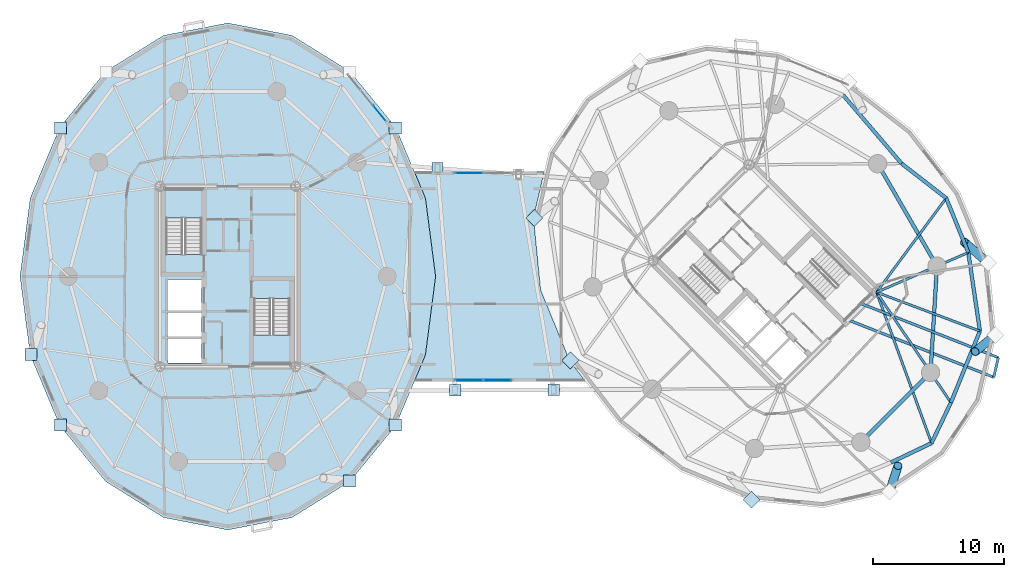
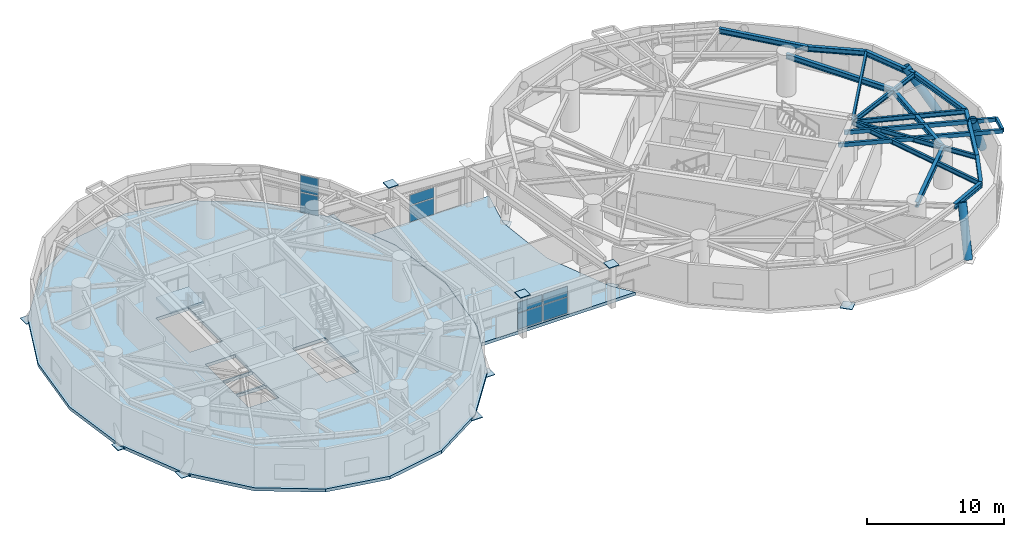
# One storey, part 11 of 20: 20 plates, 18 beams, 4 slabs, 3 members, 5 elements without a shape of their own.
"""IFC4 building model written with IfcOpenShell, lengths in metres."""

from ifc_helpers import new_model, si_unit, direction, frame, origin, origin_2d, place, context, subcontext, project, spatial, polyline, rectangle, hollow_rectangle, hollow_circle, i_section, outline, extrude, source, transform, mapped, material, layer, layer_set, material_profile, profile_set, type_object, element, aggregate, save


model = new_model("IFC4")

# Units and contexts
model_context = context("Model", 3, precision=1e-05, world=origin(), true_north=direction((0.0, 1.0)))
body_context = subcontext(model_context, "Body", "Model", "MODEL_VIEW")
ifc_project = project(units=[si_unit("LENGTHUNIT", "METRE"), si_unit("AREAUNIT", "SQUARE_METRE"), si_unit("VOLUMEUNIT", "CUBIC_METRE"), si_unit("PLANEANGLEUNIT", "RADIAN"), si_unit("MASSUNIT", "GRAM", prefix="KILO")], contexts=[model_context])

# Site, building, storey
site_placement = place(None, origin())
site = spatial("IfcSite", under=ifc_project, at=site_placement, CompositionType="ELEMENT")
building_placement = place(site_placement, origin())
building = spatial("IfcBuilding", under=site, at=building_placement, Name="Cununo Teusaquillo Station Towers", CompositionType="ELEMENT")
storey_placement = place(building_placement, frame((0.0, 0.0, 140.320068359375)))
storey = spatial("IfcBuildingStorey", under=building, at=storey_placement, Name="L44", CompositionType="ELEMENT", Elevation=140.320068359375)

# Beams
ifc_material_1 = material(Name="Steel EN 10025-2 S355J2", Category="steel")
ifc_material_profile_1 = material_profile(ifc_material_1, hollow_rectangle(XDim=0.199951171875, YDim=0.35009765625, WallThickness=0.013916015625, at=origin_2d()), Name="RHS 350x200x14")
ifc_profile_set_1 = profile_set([ifc_material_profile_1], Name="Steel EN 10025-2 S355J2")
beam_type_1 = type_object("IfcBeamType", Name="BM-BAL-CANT", PredefinedType="BEAM", material=ifc_profile_set_1)
beam_1_placement = place(storey_placement, frame((63.662109375, 21.257568359375, 3.304931640625), z_axis=(0.93054889278, -0.366167663982, 0.0), x_axis=(0.366167663982, 0.93054889278, 0.0)))
element("IfcBeam", 1, at=beam_1_placement, inside=storey, type_object=beam_type_1, Name="L44 Tower B Balcony Cantilever Bracket 2A", PredefinedType="BEAM", context=body_context, shape_type="SweptSolid", body=[
    extrude(hollow_rectangle(XDim=0.199951171875, YDim=0.35009765625, WallThickness=0.013916015625, at=origin_2d()), origin(), (0.0, 0.0, 1.0), 12.15087890625),
])
beam_2_placement = place(storey_placement, frame((64.835693359375, 22.43115234375, 3.304931640625), z_axis=(0.930555904619, -0.36614984416, 0.0), x_axis=(0.36614984416, 0.930555904619, 0.0)))
element("IfcBeam", 2, at=beam_2_placement, inside=storey, type_object=beam_type_1, Name="L44 Tower B Balcony Cantilever Bracket 2B", PredefinedType="BEAM", context=body_context, shape_type="SweptSolid", body=[
    extrude(hollow_rectangle(XDim=0.199951171875, YDim=0.35009765625, WallThickness=0.013916015625, at=origin_2d()), origin(), (0.0, 0.0, 1.0), 11.26513671875),
])
ifc_material_2 = material(Name="Steel ASTM A572 Grade 50", Category="steel")
ifc_material_profile_2 = material_profile(ifc_material_2, i_section(OverallWidth=0.180908203125, OverallDepth=0.4169921875, WebThickness=0.010986328125, FlangeThickness=0.018310546875, FilletRadius=0.012939453125, at=origin_2d()), Name="W16X57")
ifc_profile_set_2 = profile_set([ifc_material_profile_2], Name="Steel ASTM A572 Grade 50")
beam_type_2 = type_object("IfcBeamType", Name="BM-JOIST-1", PredefinedType="JOIST", material=ifc_profile_set_2)
beam_3_placement = place(storey_placement, frame((66.024169921875, 23.29443359375, 3.271484375), z_axis=(0.34241791496, -0.939547748395, 0.0), x_axis=(0.939547748395, 0.34241791496, 0.0)))
element("IfcBeam", 3, at=beam_3_placement, inside=storey, type_object=beam_type_2, Name="L44 Tower B Radial Spandrel Joist V15", PredefinedType="JOIST", context=body_context, shape_type="SweptSolid", body=[
    extrude(i_section(OverallWidth=0.180908203125, OverallDepth=0.4169921875, WebThickness=0.010986328125, FlangeThickness=0.018310546875, FilletRadius=0.012939453125, at=origin_2d()), origin(), (0.0, 0.0, 1.0), 12.25634765625),
])
beam_4_placement = place(storey_placement, frame((66.024169921875, 23.29443359375, 3.271484375), z_axis=(0.936244635323, -0.351348805076, 0.0), x_axis=(0.351348805076, 0.936244635323, 0.0)))
element("IfcBeam", 4, at=beam_4_placement, inside=storey, type_object=beam_type_2, Name="L44 Tower B Radial Spandrel Joist V17", PredefinedType="JOIST", context=body_context, shape_type="SweptSolid", body=[
    extrude(i_section(OverallWidth=0.180908203125, OverallDepth=0.4169921875, WebThickness=0.010986328125, FlangeThickness=0.018310546875, FilletRadius=0.012939453125, at=origin_2d()), origin(), (0.0, 0.0, 1.0), 8.4287109375),
])
beam_5_placement = place(storey_placement, frame((66.024169921875, 23.29443359375, 3.271484375), z_axis=(0.594834179272, 0.803848430471, 0.0), x_axis=(-0.803848430471, 0.594834179272, 0.0)))
element("IfcBeam", 5, at=beam_5_placement, inside=storey, type_object=beam_type_2, Name="L44 Tower B Radial Spandrel Joist V19", PredefinedType="JOIST", context=body_context, shape_type="SweptSolid", body=[
    extrude(i_section(OverallWidth=0.180908203125, OverallDepth=0.4169921875, WebThickness=0.010986328125, FlangeThickness=0.018310546875, FilletRadius=0.012939453125, at=origin_2d()), origin(), (0.0, 0.0, 1.0), 8.936767578125),
])
ifc_material_3 = material(Name="Steel ASTM A572 Grade 50", Category="steel")
ifc_material_profile_3 = material_profile(ifc_material_3, i_section(OverallWidth=0.180908203125, OverallDepth=0.4169921875, WebThickness=0.010986328125, FlangeThickness=0.018310546875, FilletRadius=0.012939453125, at=origin_2d()), Name="W16X57")
ifc_profile_set_3 = profile_set([ifc_material_profile_3], Name="Steel ASTM A572 Grade 50")
beam_type_3 = type_object("IfcBeamType", Name="BM-RAD-G2", PredefinedType="BEAM", material=ifc_profile_set_3)
beam_6_placement = place(storey_placement, frame((66.024169921875, 23.29443359375, 3.271484375), z_axis=(0.558570687133, -0.829456923219, 0.0), x_axis=(0.829456923219, 0.558570687133, 0.0)))
element("IfcBeam", 6, at=beam_6_placement, inside=storey, type_object=beam_type_3, Name="L44 Tower B Continuous Overhanging Radial Girder 09", PredefinedType="BEAM", context=body_context, shape_type="SweptSolid", body=[
    extrude(i_section(OverallWidth=0.180908203125, OverallDepth=0.4169921875, WebThickness=0.010986328125, FlangeThickness=0.018310546875, FilletRadius=0.012939453125, at=origin_2d()), origin(), (0.0, 0.0, 1.0), 10.1591796875),
])
beam_7_placement = place(storey_placement, frame((66.024169921875, 23.29443359375, 3.271484375), z_axis=(0.917655964072, 0.397375806515, 0.0), x_axis=(-0.397375806515, 0.917655964072, 0.0)))
element("IfcBeam", 7, at=beam_7_placement, inside=storey, type_object=beam_type_3, Name="L44 Tower B Continuous Overhanging Radial Girder 10", PredefinedType="BEAM", context=body_context, shape_type="SweptSolid", body=[
    extrude(i_section(OverallWidth=0.180908203125, OverallDepth=0.4169921875, WebThickness=0.010986328125, FlangeThickness=0.018310546875, FilletRadius=0.012939453125, at=origin_2d()), origin(), (0.0, 0.0, 1.0), 7.6318359375),
])
ifc_material_4 = material(Name="Steel ASTM A572 Grade 50", Category="steel")
ifc_material_profile_4 = material_profile(ifc_material_4, i_section(OverallWidth=0.280029296875, OverallDepth=0.462890625, WebThickness=0.0107421875, FlangeThickness=0.017333984375, FilletRadius=0.013916015625, at=origin_2d()), Name="W18X76")
ifc_profile_set_4 = profile_set([ifc_material_profile_4], Name="Steel ASTM A572 Grade 50")
beam_type_4 = type_object("IfcBeamType", Name="BM-RING-Z2", PredefinedType="SPANDREL", material=ifc_profile_set_4)
beam_8_placement = place(storey_placement, frame((64.826904296875, 11.853759765625, 3.24853515625), z_axis=(0.707106781187, 0.707106781187, 0.0), x_axis=(-0.707106781187, 0.707106781187, 0.0)))
element("IfcBeam", 8, at=beam_8_placement, inside=storey, type_object=beam_type_4, Name="L44 Tower B Structural Column Ring Girder 08", PredefinedType="SPANDREL", context=body_context, shape_type="SweptSolid", body=[
    extrude(i_section(OverallWidth=0.280029296875, OverallDepth=0.462890625, WebThickness=0.0107421875, FlangeThickness=0.017333984375, FilletRadius=0.013916015625, at=origin_2d()), origin(), (0.0, 0.0, 1.0), 7.522705078125),
])
beam_9_placement = place(storey_placement, frame((70.146240234375, 17.173095703125, 3.24853515625), z_axis=(0.06012979176, 0.998190567048, 0.0), x_axis=(-0.998190567048, 0.06012979176, 0.0)))
element("IfcBeam", 9, at=beam_9_placement, inside=storey, type_object=beam_type_4, Name="L44 Tower B Structural Column Ring Girder 09", PredefinedType="SPANDREL", context=body_context, shape_type="SweptSolid", body=[
    extrude(i_section(OverallWidth=0.280029296875, OverallDepth=0.462890625, WebThickness=0.0107421875, FlangeThickness=0.017333984375, FilletRadius=0.013916015625, at=origin_2d()), origin(), (0.0, 0.0, 1.0), 8.132568359375),
])
beam_10_placement = place(storey_placement, frame((70.63525390625, 25.291015625, 3.24853515625), z_axis=(-0.501311121078, 0.865267103202, 0.0), x_axis=(-0.865267103202, -0.501311121078, 0.0)))
element("IfcBeam", 10, at=beam_10_placement, inside=storey, type_object=beam_type_4, Name="L44 Tower B Structural Column Ring Girder 10", PredefinedType="SPANDREL", context=body_context, shape_type="SweptSolid", body=[
    extrude(i_section(OverallWidth=0.280029296875, OverallDepth=0.462890625, WebThickness=0.0107421875, FlangeThickness=0.017333984375, FilletRadius=0.013916015625, at=origin_2d()), origin(), (0.0, 0.0, 1.0), 9.032958984375),
])
beam_11_placement = place(storey_placement, frame((67.934326171875, 33.122314453125, 3.24853515625), z_axis=(-0.64941898982, 0.760430782952, 0.0), x_axis=(-0.760430782952, -0.64941898982, 0.0)))
element("IfcBeam", 11, at=beam_11_placement, inside=storey, type_object=beam_type_4, Name="L44 Tower B Spandrel Ring Beam 01", PredefinedType="SPANDREL", context=body_context, shape_type="SweptSolid", body=[
    extrude(i_section(OverallWidth=0.280029296875, OverallDepth=0.462890625, WebThickness=0.0107421875, FlangeThickness=0.017333984375, FilletRadius=0.013916015625, at=origin_2d()), origin(), (0.0, 0.0, 1.0), 6.861572265625),
])
for number, where, z_axis, x_axis, name in (
    (12, (67.132080078125, 10.30126953125, 3.24853515625), (0.902077503555, 0.431574069634, 0.0), (-0.431574069634, 0.902077503555, 0.0), "L44 Tower B Spandrel Ring Beam 15"),
    (13, (70.220947265625, 11.779052734375, 3.24853515625), (0.431574069634, 0.902077503555, 0.0), (-0.902077503555, 0.431574069634, 0.0), "L44 Tower B Spandrel Ring Beam 16"),
):
    element("IfcBeam", number, at=place(storey_placement, frame(where, z_axis=z_axis, x_axis=x_axis)), inside=storey, type_object=beam_type_4, Name=name, PredefinedType="SPANDREL", context=body_context, shape_type="SweptSolid", body=[
        extrude(i_section(OverallWidth=0.280029296875, OverallDepth=0.462890625, WebThickness=0.0107421875, FlangeThickness=0.017333984375, FilletRadius=0.013916015625, at=origin_2d()), origin(), (0.0, 0.0, 1.0), 3.424072265625),
    ])
beam_12_placement = place(storey_placement, frame((71.69873046875, 14.867919921875, 3.24853515625), z_axis=(0.375882869104, 0.926667183359, 0.0), x_axis=(-0.926667183359, 0.375882869104, 0.0)))
element("IfcBeam", 14, at=beam_12_placement, inside=storey, type_object=beam_type_4, Name="L44 Tower B Spandrel Ring Beam 17", PredefinedType="SPANDREL", context=body_context, shape_type="SweptSolid", body=[
    extrude(i_section(OverallWidth=0.280029296875, OverallDepth=0.462890625, WebThickness=0.0107421875, FlangeThickness=0.017333984375, FilletRadius=0.013916015625, at=origin_2d()), origin(), (0.0, 0.0, 1.0), 5.8974609375),
])
beam_13_placement = place(storey_placement, frame((73.91552734375, 20.3330078125, 3.24853515625), z_axis=(-0.146535519435, 0.989205409176, 0.0), x_axis=(-0.989205409176, -0.146535519435, 0.0)))
element("IfcBeam", 15, at=beam_13_placement, inside=storey, type_object=beam_type_4, Name="L44 Tower B Spandrel Ring Beam 18", PredefinedType="SPANDREL", context=body_context, shape_type="SweptSolid", body=[
    extrude(i_section(OverallWidth=0.280029296875, OverallDepth=0.462890625, WebThickness=0.0107421875, FlangeThickness=0.017333984375, FilletRadius=0.013916015625, at=origin_2d()), origin(), (0.0, 0.0, 1.0), 6.0595703125),
])
beam_14_placement = place(storey_placement, frame((73.027587890625, 26.3271484375, 3.24853515625), z_axis=(-0.376588942192, 0.926380466449, 0.0), x_axis=(-0.926380466449, -0.376588942192, 0.0)))
element("IfcBeam", 16, at=beam_14_placement, inside=storey, type_object=beam_type_4, Name="L44 Tower B Spandrel Ring Beam 19", PredefinedType="SPANDREL", context=body_context, shape_type="SweptSolid", body=[
    extrude(i_section(OverallWidth=0.280029296875, OverallDepth=0.462890625, WebThickness=0.0107421875, FlangeThickness=0.017333984375, FilletRadius=0.013916015625, at=origin_2d()), origin(), (0.0, 0.0, 1.0), 4.48095703125),
])
beam_15_placement = place(storey_placement, frame((71.340087890625, 30.478271484375, 3.24853515625), z_axis=(-0.789900716386, 0.613234749711, 0.0), x_axis=(-0.613234749711, -0.789900716386, 0.0)))
element("IfcBeam", 17, at=beam_15_placement, inside=storey, type_object=beam_type_4, Name="L44 Tower B Spandrel Ring Beam 20", PredefinedType="SPANDREL", context=body_context, shape_type="SweptSolid", body=[
    extrude(i_section(OverallWidth=0.280029296875, OverallDepth=0.462890625, WebThickness=0.0107421875, FlangeThickness=0.017333984375, FilletRadius=0.013916015625, at=origin_2d()), origin(), (0.0, 0.0, 1.0), 4.3115234375),
])
ifc_material_5 = material(Name="Steel EN 10025-2 S355J2", Category="steel")
ifc_material_profile_5 = material_profile(ifc_material_5, hollow_rectangle(XDim=0.199951171875, YDim=0.35009765625, WallThickness=0.013916015625, at=origin_2d()), Name="RHS 350x200x14")
ifc_profile_set_5 = profile_set([ifc_material_profile_5], Name="Steel EN 10025-2 S355J2")
beam_type_5 = type_object("IfcBeamType", Name="BM-STAIR-TRIM", PredefinedType="BEAM", material=ifc_profile_set_5)
beam_16_placement = place(storey_placement, frame((74.968994140625, 16.808349609375, 3.3349609375), z_axis=(0.227269752297, 0.973831843642, 0.0), x_axis=(-0.973831843642, 0.227269752297, 0.0)))
element("IfcBeam", 18, at=beam_16_placement, inside=storey, type_object=beam_type_5, Name="L44 Tower B Balcony Edge Trimmer Beam 2", PredefinedType="BEAM", context=body_context, shape_type="SweptSolid", body=[
    extrude(hollow_rectangle(XDim=0.199951171875, YDim=0.35009765625, WallThickness=0.013916015625, at=origin_2d()), origin(), (0.0, 0.0, 1.0), 1.538330078125),
])

# Members
ifc_material_6 = material(Name="Steel EN 10025-2 S355J2", Category="steel")
ifc_material_profile_6 = material_profile(ifc_material_6, hollow_circle(Radius=0.330078125, WallThickness=0.02490234375, at=origin_2d()), Name="CHS 660x25")
ifc_profile_set_6 = profile_set([ifc_material_profile_6], Name="Steel EN 10025-2 S355J2")
member_type = type_object("IfcMemberType", Name="MBR-DIAG-Z2", PredefinedType="BRACE", material=ifc_profile_set_6)
member_1_placement = place(storey_placement, frame((67.019775390625, 8.07470703125, -0.14013671875), z_axis=(0.150129009836, 0.463227387738, 0.873430974751), x_axis=(-0.951287220767, 0.308306055091, 0.0)))
element("IfcMember", 19, at=member_1_placement, inside=storey, type_object=member_type, Name="L44 Tower B Folded-Zigzag Diagrid Tube C14", PredefinedType="BRACE", context=body_context, shape_type="SweptSolid", body=[
    extrude(hollow_circle(Radius=0.330078125, WallThickness=0.02490234375, at=origin_2d()), origin(), (0.0, 0.0, 1.0), 4.259033203125),
])
member_2_placement = place(storey_placement, frame((75.102294921875, 20.0322265625, -0.14013671875), z_axis=(-0.367349271692, -0.300453461561, 0.880217149358), x_axis=(0.633105206362, -0.77406575798, 0.0)))
element("IfcMember", 20, at=member_2_placement, inside=storey, type_object=member_type, Name="L44 Tower B Folded-Zigzag Diagrid Tube C16", PredefinedType="BRACE", context=body_context, shape_type="SweptSolid", body=[
    extrude(hollow_circle(Radius=0.330078125, WallThickness=0.02490234375, at=origin_2d()), origin(), (0.0, 0.0, 1.0), 4.226318359375),
])
member_3_placement = place(storey_placement, frame((74.556640625, 25.521728515625, -0.14013671875), z_axis=(-0.413268104412, 0.360923737496, 0.836028426304), x_axis=(-0.657796355818, -0.753195827307, 0.0)))
element("IfcMember", 21, at=member_3_placement, inside=storey, type_object=member_type, Name="L44 Tower B Folded-Zigzag Diagrid Tube C18", PredefinedType="BRACE", context=body_context, shape_type="SweptSolid", body=[
    extrude(hollow_circle(Radius=0.330078125, WallThickness=0.02490234375, at=origin_2d()), origin(), (0.0, 0.0, 1.0), 4.449462890625),
])

# Slabs
ifc_material_7 = material(Name="Concrete C50/60", Category="concrete")
ifc_layer_1 = layer(ifc_material_7, 0.280029296875)
ifc_layer_set_1 = layer_set([ifc_layer_1], Name="Concrete C50/60")
slab_type_1 = type_object("IfcSlabType", Name="SLB-BRG-280", PredefinedType="FLOOR", material=ifc_layer_set_1)
slab_1_placement = place(storey_placement, frame((0.0, 0.0, -0.280029296875)))
element("IfcSlab", 22, at=slab_1_placement, inside=storey, type_object=slab_type_1, Name="L44 Tower A Floor Slab", PredefinedType="FLOOR", context=body_context, shape_type="SweptSolid", body=[
    extrude(outline(polyline([(32.361083984375, 24.5), (31.584716796875, 30.4794921875), (29.331787109375, 35.87353515625), (25.822998046875, 40.154541015625), (21.4013671875, 42.90283203125), (16.5, 43.85009765625), (11.5986328125, 42.90283203125), (7.177001953125, 40.154541015625), (3.668212890625, 35.87353515625), (1.415283203125, 30.4794921875), (0.638916015625, 24.5), (1.415283203125, 18.5205078125), (3.668212890625, 13.12646484375), (7.177001953125, 8.845458984375), (11.5986328125, 6.09716796875), (16.5, 5.14990234375), (21.4013671875, 6.09716796875), (25.822998046875, 8.845458984375), (29.331787109375, 13.12646484375), (31.584716796875, 18.5205078125), (32.361083984375, 24.5)]), holes=[polyline([(14.52001953125, 26.176025390625), (14.52001953125, 31.159912109375), (11.760009765625, 31.159912109375), (11.760009765625, 26.176025390625), (14.52001953125, 26.176025390625)]), polyline([(18.47998046875, 22.823974609375), (18.47998046875, 17.840087890625), (21.239990234375, 17.840087890625), (21.239990234375, 22.823974609375), (18.47998046875, 22.823974609375)]), polyline([(11.949951171875, 21.85009765625), (14.47998046875, 21.85009765625), (14.47998046875, 24.25), (11.949951171875, 24.25), (11.949951171875, 21.85009765625)]), polyline([(11.949951171875, 17.89990234375), (14.47998046875, 17.89990234375), (14.47998046875, 19.75), (11.949951171875, 19.75), (11.949951171875, 17.89990234375)]), polyline([(11.949951171875, 19.89990234375), (14.47998046875, 19.89990234375), (14.47998046875, 21.75), (11.949951171875, 21.75), (11.949951171875, 19.89990234375)])]), origin(), (0.0, 0.0, 1.0), 0.280029296875),
])
slab_2_placement = place(storey_placement, frame((0.0, 0.0, -0.280029296875)))
element("IfcSlab", 23, at=slab_2_placement, inside=storey, type_object=slab_type_1, Name="L44 Mid-Bridge Link Floor Slab", PredefinedType="FLOOR", context=body_context, shape_type="SweptSolid", body=[
    extrude(outline(polyline([(30.74609375, 16.5), (31.58935546875, 18.5185546875), (31.589599609375, 18.51904296875), (31.589599609375, 18.519287109375), (31.589599609375, 18.52001953125), (32.365966796875, 24.49951171875), (32.365966796875, 24.499755859375), (32.365966796875, 24.500244140625), (32.365966796875, 24.50048828125), (31.589599609375, 30.47998046875), (31.589599609375, 30.480712890625), (31.589599609375, 30.48095703125), (31.58935546875, 30.4814453125), (30.74609375, 32.5), (40.6552734375, 32.5), (39.83349609375, 28.978271484375), (39.833251953125, 28.977783203125), (39.833251953125, 28.977294921875), (39.833251953125, 28.9765625), (40.379150390625, 23.468505859375), (40.37939453125, 23.468017578125), (40.37939453125, 23.467529296875), (40.379638671875, 23.467041015625), (42.600830078125, 18.059814453125), (42.60107421875, 18.059326171875), (42.601318359375, 18.05908203125), (42.601318359375, 18.05859375), (43.802001953125, 16.5), (30.74609375, 16.5)])), origin(), (0.0, 0.0, 1.0), 0.280029296875),
])

# Stair, slab
ifc_material_8 = material(Name="Concrete C50/60", Category="concrete")
stair_type = type_object("IfcStairType", Name="ST-TWR-1300", PredefinedType="HALF_TURN_STAIR", material=ifc_material_8)
stair_1_placement = place(storey_placement, origin())
stair_1 = element("IfcStair", 24, at=stair_1_placement, inside=storey, type_object=stair_type, Name="L44 Tower A Protected Core Exit Stair 1", PredefinedType="HALF_TURN_STAIR")
ifc_material_9 = material(Name="Concrete C50/60", Category="concrete")
ifc_layer_2 = layer(ifc_material_9, 0.199951171875)
ifc_layer_set_2 = layer_set([ifc_layer_2], Name="Concrete C50/60")
slab_type_2 = type_object("IfcSlabType", Name="SLB-STAIR-LND", PredefinedType="LANDING", material=ifc_layer_set_2)
slab_3_placement = place(storey_placement, frame((0.0, 0.0, 1.659912109375)))
slab_3 = element("IfcSlab", 25, at=slab_3_placement, type_object=slab_type_2, Name="ST-T1-1 landing 1", PredefinedType="LANDING", context=body_context, shape_type="SweptSolid", body=[
    extrude(outline(polyline([(14.52001953125, 28.969970703125), (14.52001953125, 31.159912109375), (11.760009765625, 31.159912109375), (11.760009765625, 28.969970703125), (14.52001953125, 28.969970703125)])), origin(), (0.0, 0.0, 1.0), 0.199951171875),
])
aggregate(stair_1, [slab_3])

stair_2_placement = place(storey_placement, origin())
stair_2 = element("IfcStair", 26, at=stair_2_placement, inside=storey, type_object=stair_type, Name="L44 Tower A Protected Core Exit Stair 2", PredefinedType="HALF_TURN_STAIR")
slab_4_placement = place(storey_placement, frame((0.0, 0.0, 1.659912109375)))
slab_4 = element("IfcSlab", 27, at=slab_4_placement, type_object=slab_type_2, Name="ST-T1-2 landing 1", PredefinedType="LANDING", context=body_context, shape_type="SweptSolid", body=[
    extrude(outline(polyline([(18.47998046875, 20.030029296875), (18.47998046875, 17.840087890625), (21.239990234375, 17.840087890625), (21.239990234375, 20.030029296875), (18.47998046875, 20.030029296875)])), origin(), (0.0, 0.0, 1.0), 0.199951171875),
])
aggregate(stair_2, [slab_4])

# Plates
ifc_material_10 = material(Name="Steel ASTM A572 Grade 50", Category="steel")
ifc_layer_3 = layer(ifc_material_10, 0.050048828125)
ifc_layer_set_3 = layer_set([ifc_layer_3], Name="Steel ASTM A572 Grade 50")
plate_type_1 = type_object("IfcPlateType", Name="PLT-NODE-DN1", PredefinedType="USERDEFINED", material=ifc_layer_set_3)
shared_shape_1 = source(origin(), body_context, "Body", "SweptSolid", [
    extrude(rectangle(XDim=0.919921875, YDim=0.919921875, at=origin_2d()), origin(), (0.0, 0.0, 1.0), 0.050048828125),
])
for number, where, z_axis, x_axis, name in (
    (28, (29.283203125, 35.83837890625, -0.1650390625), (0.0, 0.0, 1.0), (1.0, 0.0, 0.0), "L44 Tower A Diagrid Node Assembly C01"),
    (29, (3.716796875, 35.83837890625, -0.1650390625), (0.0, 0.0, 1.0), (1.0, 0.0, 0.0), "L44 Tower A Diagrid Node Assembly C08"),
    (30, (1.472412109375, 18.5390625, -0.1650390625), (0.0, 0.0, 1.0), (1.0, 0.0, 0.0), "L44 Tower A Diagrid Node Assembly C10"),
    (31, (3.716796875, 13.16162109375, -0.1650390625), (0.0, 0.0, 1.0), (1.0, 0.0, 0.0), "L44 Tower A Diagrid Node Assembly C12"),
    (32, (25.78759765625, 8.89404296875, -0.1650390625), (0.0, 0.0, 1.0), (1.0, 0.0, 0.0), "L44 Tower A Diagrid Node Assembly C16"),
    (33, (29.283203125, 13.16162109375, -0.1650390625), (0.0, 0.0, 1.0), (1.0, 0.0, 0.0), "L44 Tower A Diagrid Node Assembly C18"),
    (34, (39.897705078125, 28.9677734375, -0.1650390625), (0.0, 0.0, 1.0), (0.707106781187, 0.707106781187, 0.0), "L44 Tower B Diagrid Node Assembly C06"),
    (35, (42.658935546875, 18.0888671875, -0.1650390625), (0.0, 0.0, 1.0), (0.707106781187, 0.707106781187, 0.0), "L44 Tower B Diagrid Node Assembly C09"),
    (36, (56.478271484375, 7.443359375, -0.1650390625), (0.0, 0.0, 1.0), (0.707106781187, 0.707106781187, 0.0), "L44 Tower B Diagrid Node Assembly C11"),
):
    element("IfcPlate", number, at=place(storey_placement, frame(where, z_axis=z_axis, x_axis=x_axis)), inside=storey, type_object=plate_type_1, Name=name, ObjectType="GUSSET PLATE", PredefinedType="USERDEFINED", context=body_context, shape_type="MappedRepresentation", body=[
        mapped(shared_shape_1, transform((0.0, 0.0, 0.0), x_axis=(1.0, 0.0, 0.0), y_axis=(0.0, 1.0, 0.0), z_axis=(0.0, 0.0, 1.0), scale=1.0)),
    ])
ifc_material_11 = material(Name="Steel ASTM A572 Grade 50", Category="steel")
ifc_layer_4 = layer(ifc_material_11, 0.06005859375)
ifc_layer_set_4 = layer_set([ifc_layer_4], Name="Steel ASTM A572 Grade 50")
plate_type_2 = type_object("IfcPlateType", Name="PLT-NODE-SBN1", PredefinedType="USERDEFINED", material=ifc_layer_set_4)
shared_shape_2 = source(origin(), body_context, "Body", "SweptSolid", [
    extrude(rectangle(XDim=0.85009765625, YDim=0.85009765625, at=origin_2d()), origin(), (0.0, 0.0, 1.0), 0.06005859375),
])
for number, where, z_axis, x_axis, name in (
    (37, (33.862548828125, 15.81201171875, 3.719970703125), (0.0, 0.0, 1.0), (1.0, 0.0, 0.0), "L44 Mid-Bridge Post S1 Sealed Cap Plate"),
    (38, (41.377685546875, 15.8525390625, 3.719970703125), (0.0, 0.0, 1.0), (1.0, 0.0, 0.0), "L44 Mid-Bridge Post S2 Sealed Cap Plate"),
    (39, (32.51611328125, 32.761474609375, 3.719970703125), (0.0, 0.0, 1.0), (1.0, 0.0, 0.0), "L44 Mid-Bridge Post N1 Sealed Cap Plate"),
):
    element("IfcPlate", number, at=place(storey_placement, frame(where, z_axis=z_axis, x_axis=x_axis)), inside=storey, type_object=plate_type_2, Name=name, ObjectType="GUSSET PLATE", PredefinedType="USERDEFINED", context=body_context, shape_type="MappedRepresentation", body=[
        mapped(shared_shape_2, transform((0.0, 0.0, 0.0), x_axis=(1.0, 0.0, 0.0), y_axis=(0.0, 1.0, 0.0), z_axis=(0.0, 0.0, 1.0), scale=1.0)),
    ])

# Curtain wall, plates
ifc_material_12 = material(Name="Ceramic-fritted dark low-E double glazing", Category="glass")
ifc_layer_5 = layer(ifc_material_12, 0.179931640625)
ifc_layer_set_5 = layer_set([ifc_layer_5], Name="Ceramic-fritted dark low-E double glazing")
curtain_wall_type_1 = type_object("IfcCurtainWallType", Name="CW-SYS-04", PredefinedType="USERDEFINED", material=ifc_layer_set_5)
curtain_wall_1_placement = place(storey_placement, origin())
curtain_wall_1 = element("IfcCurtainWall", 40, at=curtain_wall_1_placement, inside=storey, type_object=curtain_wall_type_1, Name="L44 Tower A Facade Curtain Wall C02", ObjectType="FRITTED GLAZING", PredefinedType="USERDEFINED")
ifc_material_13 = material(Name="Ceramic-fritted dark low-E double glazing", Category="glass")
ifc_layer_6 = layer(ifc_material_13, 0.028076171875)
ifc_layer_set_6 = layer_set([ifc_layer_6], Name="Ceramic-fritted dark low-E double glazing")
plate_type_3 = type_object("IfcPlateType", Name="CWP-FRIT-28", PredefinedType="CURTAIN_PANEL", material=ifc_layer_set_6)
shared_shape_3 = source(origin(), body_context, "Body", "SweptSolid", [
    extrude(rectangle(XDim=1.427734375, YDim=0.028076171875, at=origin_2d()), origin(), (0.0, 0.0, 1.0), 1.7451171875),
])
plate_1_placement = place(storey_placement, frame((28.071533203125, 36.974365234375, 0.06982421875), z_axis=(0.0, 0.0, 1.0), x_axis=(0.63270351247, -0.774394127889, 0.0)))
plate_1 = element("IfcPlate", 41, at=plate_1_placement, type_object=plate_type_3, Name="CW-04 panel 3.1", PredefinedType="CURTAIN_PANEL", context=body_context, shape_type="MappedRepresentation", body=[
    mapped(shared_shape_3, transform((0.0, 0.0, 0.0), x_axis=(1.0, 0.0, 0.0), y_axis=(0.0, 1.0, 0.0), z_axis=(0.0, 0.0, 1.0), scale=1.0)),
])
shared_shape_4 = source(origin(), body_context, "Body", "SweptSolid", [
    extrude(rectangle(XDim=1.427734375, YDim=0.028076171875, at=origin_2d()), origin(), (0.0, 0.0, 1.0), 1.510009765625),
])
plate_2_placement = place(storey_placement, frame((28.071533203125, 36.974365234375, 1.884765625), z_axis=(0.0, 0.0, 1.0), x_axis=(0.63270351247, -0.774394127889, 0.0)))
plate_2 = element("IfcPlate", 42, at=plate_2_placement, type_object=plate_type_3, Name="CW-04 panel 3.2", PredefinedType="CURTAIN_PANEL", context=body_context, shape_type="MappedRepresentation", body=[
    mapped(shared_shape_4, transform((0.0, 0.0, 0.0), x_axis=(1.0, 0.0, 0.0), y_axis=(0.0, 1.0, 0.0), z_axis=(0.0, 0.0, 1.0), scale=1.0)),
])
aggregate(curtain_wall_1, [plate_1, plate_2])

# Curtain wall, plate
ifc_material_14 = material(Name="Ceramic-fritted dark low-E double glazing", Category="glass")
ifc_layer_7 = layer(ifc_material_14, 0.179931640625)
ifc_layer_set_7 = layer_set([ifc_layer_7], Name="Ceramic-fritted dark low-E double glazing")
curtain_wall_type_2 = type_object("IfcCurtainWallType", Name="CW-SYS-05", PredefinedType="USERDEFINED", material=ifc_layer_set_7)
curtain_wall_2_placement = place(storey_placement, origin())
curtain_wall_2 = element("IfcCurtainWall", 43, at=curtain_wall_2_placement, inside=storey, type_object=curtain_wall_type_2, Name="L44 Mid-Bridge N Observation Curtain Wall", ObjectType="FRITTED GLAZING", PredefinedType="USERDEFINED")
shared_shape_5 = source(origin(), body_context, "Body", "SweptSolid", [
    extrude(rectangle(XDim=2.080078125, YDim=0.028076171875, at=origin_2d()), origin(), (0.0, 0.0, 1.0), 1.419921875),
])
plate_3_placement = place(storey_placement, frame((34.919921875, 32.39990234375, 0.070068359375), z_axis=(0.0, 0.0, 1.0), x_axis=(1.0, 0.0, 0.0)))
plate_3 = element("IfcPlate", 44, at=plate_3_placement, type_object=plate_type_3, Name="CW-05 panel 1.1", PredefinedType="CURTAIN_PANEL", context=body_context, shape_type="MappedRepresentation", body=[
    mapped(shared_shape_5, transform((0.0, 0.0, 0.0), x_axis=(1.0, 0.0, 0.0), y_axis=(0.0, 1.0, 0.0), z_axis=(0.0, 0.0, 1.0), scale=1.0)),
])

# Curtain wall, plates
curtain_wall_3_placement = place(storey_placement, origin())
curtain_wall_3 = element("IfcCurtainWall", 45, at=curtain_wall_3_placement, inside=storey, type_object=curtain_wall_type_2, Name="L44 Mid-Bridge S Observation Curtain Wall", ObjectType="FRITTED GLAZING", PredefinedType="USERDEFINED")
plate_4_placement = place(storey_placement, frame((37.080078125, 16.60009765625, 0.070068359375), z_axis=(0.0, 0.0, 1.0), x_axis=(-1.0, 0.0, 0.0)))
plate_4 = element("IfcPlate", 46, at=plate_4_placement, type_object=plate_type_3, Name="CW-05 panel 1.1", PredefinedType="CURTAIN_PANEL", context=body_context, shape_type="MappedRepresentation", body=[
    mapped(shared_shape_5, transform((0.0, 0.0, 0.0), x_axis=(1.0, 0.0, 0.0), y_axis=(0.0, 1.0, 0.0), z_axis=(0.0, 0.0, 1.0), scale=1.0)),
])
plate_5_placement = place(storey_placement, frame((34.919921875, 16.60009765625, 0.070068359375), z_axis=(0.0, 0.0, 1.0), x_axis=(-1.0, 0.0, 0.0)))
plate_5 = element("IfcPlate", 47, at=plate_5_placement, type_object=plate_type_3, Name="CW-05 panel 2.1", PredefinedType="CURTAIN_PANEL", context=body_context, shape_type="MappedRepresentation", body=[
    mapped(shared_shape_5, transform((0.0, 0.0, 0.0), x_axis=(1.0, 0.0, 0.0), y_axis=(0.0, 1.0, 0.0), z_axis=(0.0, 0.0, 1.0), scale=1.0)),
])

# Plate
shared_shape_6 = source(origin(), body_context, "Body", "SweptSolid", [
    extrude(rectangle(XDim=2.080078125, YDim=0.028076171875, at=origin_2d()), origin(), (0.0, 0.0, 1.0), 0.912109375),
])
plate_6_placement = place(storey_placement, frame((34.919921875, 32.39990234375, 1.559814453125), z_axis=(0.0, 0.0, 1.0), x_axis=(1.0, 0.0, 0.0)))
plate_6 = element("IfcPlate", 48, at=plate_6_placement, type_object=plate_type_3, Name="CW-05 panel 1.2", PredefinedType="CURTAIN_PANEL", context=body_context, shape_type="MappedRepresentation", body=[
    mapped(shared_shape_6, transform((0.0, 0.0, 0.0), x_axis=(1.0, 0.0, 0.0), y_axis=(0.0, 1.0, 0.0), z_axis=(0.0, 0.0, 1.0), scale=1.0)),
])

aggregate(curtain_wall_2, [plate_3, plate_6])

plate_7_placement = place(storey_placement, frame((37.080078125, 16.60009765625, 1.559814453125), z_axis=(0.0, 0.0, 1.0), x_axis=(-1.0, 0.0, 0.0)))
plate_7 = element("IfcPlate", 49, at=plate_7_placement, type_object=plate_type_3, Name="CW-05 panel 1.2", PredefinedType="CURTAIN_PANEL", context=body_context, shape_type="MappedRepresentation", body=[
    mapped(shared_shape_6, transform((0.0, 0.0, 0.0), x_axis=(1.0, 0.0, 0.0), y_axis=(0.0, 1.0, 0.0), z_axis=(0.0, 0.0, 1.0), scale=1.0)),
])

plate_8_placement = place(storey_placement, frame((34.919921875, 16.60009765625, 1.559814453125), z_axis=(0.0, 0.0, 1.0), x_axis=(-1.0, 0.0, 0.0)))
plate_8 = element("IfcPlate", 50, at=plate_8_placement, type_object=plate_type_3, Name="CW-05 panel 2.2", PredefinedType="CURTAIN_PANEL", context=body_context, shape_type="MappedRepresentation", body=[
    mapped(shared_shape_6, transform((0.0, 0.0, 0.0), x_axis=(1.0, 0.0, 0.0), y_axis=(0.0, 1.0, 0.0), z_axis=(0.0, 0.0, 1.0), scale=1.0)),
])

aggregate(curtain_wall_3, [plate_4, plate_7, plate_5, plate_8])

save(model, "model.ifc")
